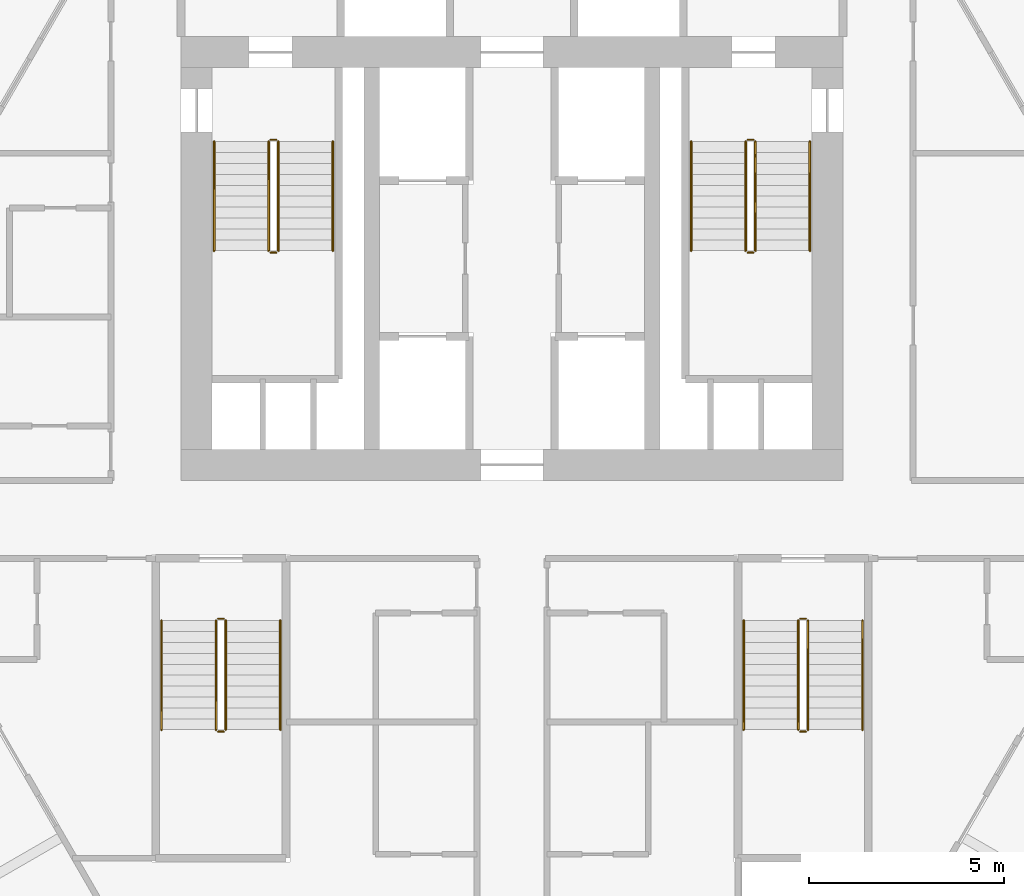
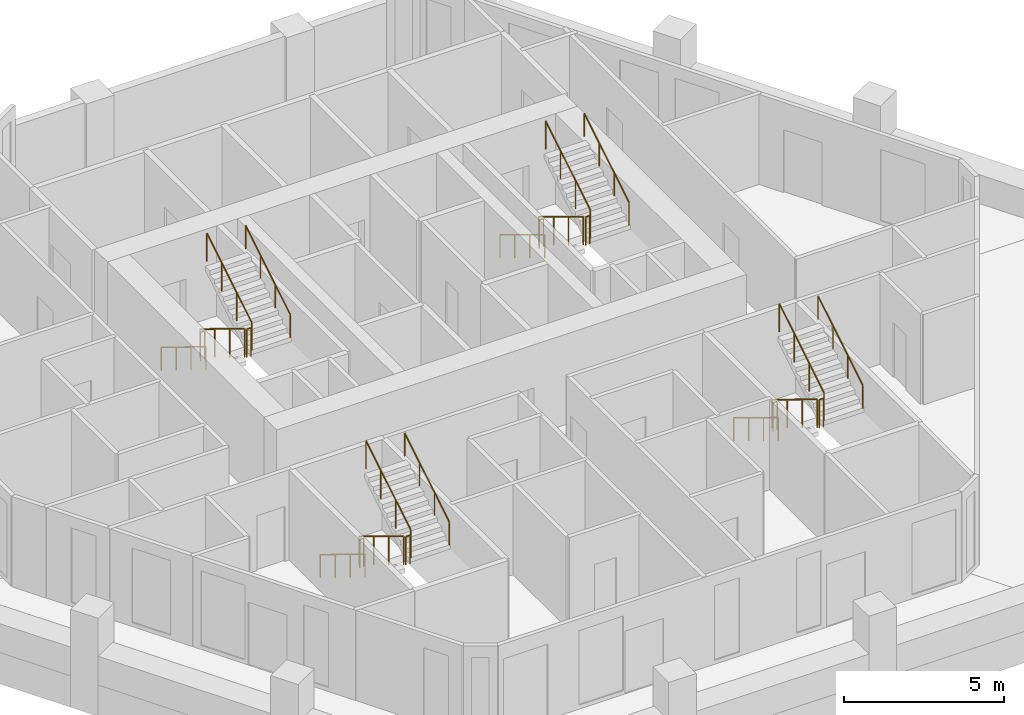
# One storey, part 7 of 7: 24 railings.
"""IFC4 building model written with IfcOpenShell, lengths in metres."""

from ifc_helpers import new_model, si_unit, direction, frame, origin, origin_2d, place, context, subcontext, project, spatial, circle, extrude, material, type_object, element, save


model = new_model("IFC4")

# Units and contexts
model_context = context("Model", 3, precision=1e-05, world=origin(), true_north=direction((0.0, 1.0)))
body_context = subcontext(model_context, "Body", "Model", "MODEL_VIEW")
ifc_project = project(units=[si_unit("LENGTHUNIT", "METRE"), si_unit("AREAUNIT", "SQUARE_METRE"), si_unit("VOLUMEUNIT", "CUBIC_METRE"), si_unit("PLANEANGLEUNIT", "RADIAN"), si_unit("MASSUNIT", "GRAM", prefix="KILO")], contexts=[model_context])

# Site, building, storey
site_placement = place(None, origin())
site = spatial("IfcSite", under=ifc_project, at=site_placement, CompositionType="ELEMENT")
building_placement = place(site_placement, origin())
building = spatial("IfcBuilding", under=site, at=building_placement, Name="Ostrander Bayou Hotel Tower", CompositionType="ELEMENT")
storey_placement = place(building_placement, frame((0.0, 0.0, 160.75)))
storey = spatial("IfcBuildingStorey", under=building, at=storey_placement, Name="L39", CompositionType="ELEMENT", Elevation=160.75)

# Railings
ifc_material_1 = material(Name="Steel ASTM A500 Gr C", Category="steel")
railing_type_1 = type_object("IfcRailingType", Name="GR1 stair guard 1100 mm steel", PredefinedType="GUARDRAIL", material=ifc_material_1)
railing_1_placement = place(storey_placement, frame((-6.25, 7.0, 0.17041015625)))
element("IfcRailing", 1, at=railing_1_placement, inside=storey, type_object=railing_type_1, Name="L39 STA stair guard 1", PredefinedType="GUARDRAIL", context=body_context, shape_type="SweptSolid", body=[
    extrude(circle(Radius=0.02392578125, at=origin_2d()), frame((0.0, 0.0, 1.076171875), z_axis=(0.0, -0.854169791009, 0.51999420009), x_axis=(1.0, 0.0, 0.0)), (0.0, 0.0, 1.0), 3.278076171875),
    extrude(circle(Radius=0.02099609375, at=origin_2d()), origin(), (0.0, 0.0, 1.0), 1.052001953125),
    extrude(circle(Radius=0.02099609375, at=origin_2d()), frame((0.0, -0.933349609375, 0.568115234375)), (0.0, 0.0, 1.0), 1.052001953125),
    extrude(circle(Radius=0.02099609375, at=origin_2d()), frame((0.0, -1.86669921875, 1.136474609375)), (0.0, 0.0, 1.0), 1.052001953125),
    extrude(circle(Radius=0.02099609375, at=origin_2d()), frame((0.0, -2.800048828125, 1.70458984375)), (0.0, 0.0, 1.0), 1.052001953125),
])
railing_2_placement = place(storey_placement, frame((-6.199951171875, 4.14990234375, 1.875)))
element("IfcRailing", 2, at=railing_2_placement, inside=storey, type_object=railing_type_1, Name="L39 STA stair guard 2", PredefinedType="GUARDRAIL", context=body_context, shape_type="SweptSolid", body=[
    extrude(circle(Radius=0.02392578125, at=origin_2d()), frame((0.0, 0.0, 1.076171875), z_axis=(1.0, 0.0, 0.0), x_axis=(0.0, 1.0, 0.0)), (0.0, 0.0, 1.0), 0.14990234375),
    extrude(circle(Radius=0.02099609375, at=origin_2d()), origin(), (0.0, 0.0, 1.0), 1.052001953125),
    extrude(circle(Radius=0.02099609375, at=origin_2d()), frame((0.14990234375, 0.0, 0.0)), (0.0, 0.0, 1.0), 1.052001953125),
])
railing_3_placement = place(storey_placement, frame((-6.0, 4.199951171875, 2.04541015625)))
element("IfcRailing", 3, at=railing_3_placement, inside=storey, type_object=railing_type_1, Name="L39 STA stair guard 3", PredefinedType="GUARDRAIL", context=body_context, shape_type="SweptSolid", body=[
    extrude(circle(Radius=0.02392578125, at=origin_2d()), frame((0.0, 0.0, 1.076171875), z_axis=(0.0, 0.854169791009, 0.51999420009), x_axis=(-1.0, 0.0, 0.0)), (0.0, 0.0, 1.0), 3.278076171875),
    extrude(circle(Radius=0.02099609375, at=origin_2d()), origin(), (0.0, 0.0, 1.0), 1.052001953125),
    extrude(circle(Radius=0.02099609375, at=origin_2d()), frame((0.0, 0.933349609375, 0.568115234375)), (0.0, 0.0, 1.0), 1.052001953125),
    extrude(circle(Radius=0.02099609375, at=origin_2d()), frame((0.0, 1.86669921875, 1.136474609375)), (0.0, 0.0, 1.0), 1.052001953125),
    extrude(circle(Radius=0.02099609375, at=origin_2d()), frame((0.0, 2.800048828125, 1.70458984375)), (0.0, 0.0, 1.0), 1.052001953125),
])
railing_4_placement = place(storey_placement, frame((-6.199951171875, 7.050048828125, 0.0)))
element("IfcRailing", 4, at=railing_4_placement, inside=storey, type_object=railing_type_1, Name="L39 STA stair guard 4", PredefinedType="GUARDRAIL", context=body_context, shape_type="SweptSolid", body=[
    extrude(circle(Radius=0.02392578125, at=origin_2d()), frame((0.0, 0.0, 1.076171875), z_axis=(1.0, 0.0, 0.0), x_axis=(0.0, 1.0, 0.0)), (0.0, 0.0, 1.0), 0.14990234375),
    extrude(circle(Radius=0.02099609375, at=origin_2d()), origin(), (0.0, 0.0, 1.0), 1.052001953125),
    extrude(circle(Radius=0.02099609375, at=origin_2d()), frame((0.14990234375, 0.0, 0.0)), (0.0, 0.0, 1.0), 1.052001953125),
])
railing_5_placement = place(storey_placement, frame((6.0, 7.0, 0.17041015625)))
element("IfcRailing", 5, at=railing_5_placement, inside=storey, type_object=railing_type_1, Name="L39 STB stair guard 1", PredefinedType="GUARDRAIL", context=body_context, shape_type="SweptSolid", body=[
    extrude(circle(Radius=0.02392578125, at=origin_2d()), frame((0.0, 0.0, 1.076171875), z_axis=(0.0, -0.854169791009, 0.51999420009), x_axis=(1.0, 0.0, 0.0)), (0.0, 0.0, 1.0), 3.278076171875),
    extrude(circle(Radius=0.02099609375, at=origin_2d()), origin(), (0.0, 0.0, 1.0), 1.052001953125),
    extrude(circle(Radius=0.02099609375, at=origin_2d()), frame((0.0, -0.933349609375, 0.568115234375)), (0.0, 0.0, 1.0), 1.052001953125),
    extrude(circle(Radius=0.02099609375, at=origin_2d()), frame((0.0, -1.86669921875, 1.136474609375)), (0.0, 0.0, 1.0), 1.052001953125),
    extrude(circle(Radius=0.02099609375, at=origin_2d()), frame((0.0, -2.800048828125, 1.70458984375)), (0.0, 0.0, 1.0), 1.052001953125),
])
railing_6_placement = place(storey_placement, frame((6.050048828125, 4.14990234375, 1.875)))
element("IfcRailing", 6, at=railing_6_placement, inside=storey, type_object=railing_type_1, Name="L39 STB stair guard 2", PredefinedType="GUARDRAIL", context=body_context, shape_type="SweptSolid", body=[
    extrude(circle(Radius=0.02392578125, at=origin_2d()), frame((0.0, 0.0, 1.076171875), z_axis=(1.0, 0.0, 0.0), x_axis=(0.0, 1.0, 0.0)), (0.0, 0.0, 1.0), 0.14990234375),
    extrude(circle(Radius=0.02099609375, at=origin_2d()), origin(), (0.0, 0.0, 1.0), 1.052001953125),
    extrude(circle(Radius=0.02099609375, at=origin_2d()), frame((0.14990234375, 0.0, 0.0)), (0.0, 0.0, 1.0), 1.052001953125),
])
railing_7_placement = place(storey_placement, frame((6.25, 4.199951171875, 2.04541015625)))
element("IfcRailing", 7, at=railing_7_placement, inside=storey, type_object=railing_type_1, Name="L39 STB stair guard 3", PredefinedType="GUARDRAIL", context=body_context, shape_type="SweptSolid", body=[
    extrude(circle(Radius=0.02392578125, at=origin_2d()), frame((0.0, 0.0, 1.076171875), z_axis=(0.0, 0.854169791009, 0.51999420009), x_axis=(-1.0, 0.0, 0.0)), (0.0, 0.0, 1.0), 3.278076171875),
    extrude(circle(Radius=0.02099609375, at=origin_2d()), origin(), (0.0, 0.0, 1.0), 1.052001953125),
    extrude(circle(Radius=0.02099609375, at=origin_2d()), frame((0.0, 0.933349609375, 0.568115234375)), (0.0, 0.0, 1.0), 1.052001953125),
    extrude(circle(Radius=0.02099609375, at=origin_2d()), frame((0.0, 1.86669921875, 1.136474609375)), (0.0, 0.0, 1.0), 1.052001953125),
    extrude(circle(Radius=0.02099609375, at=origin_2d()), frame((0.0, 2.800048828125, 1.70458984375)), (0.0, 0.0, 1.0), 1.052001953125),
])
railing_8_placement = place(storey_placement, frame((6.050048828125, 7.050048828125, 0.0)))
element("IfcRailing", 8, at=railing_8_placement, inside=storey, type_object=railing_type_1, Name="L39 STB stair guard 4", PredefinedType="GUARDRAIL", context=body_context, shape_type="SweptSolid", body=[
    extrude(circle(Radius=0.02392578125, at=origin_2d()), frame((0.0, 0.0, 1.076171875), z_axis=(1.0, 0.0, 0.0), x_axis=(0.0, 1.0, 0.0)), (0.0, 0.0, 1.0), 0.14990234375),
    extrude(circle(Radius=0.02099609375, at=origin_2d()), origin(), (0.0, 0.0, 1.0), 1.052001953125),
    extrude(circle(Radius=0.02099609375, at=origin_2d()), frame((0.14990234375, 0.0, 0.0)), (0.0, 0.0, 1.0), 1.052001953125),
])
railing_9_placement = place(storey_placement, frame((7.35009765625, -5.300048828125, 0.17041015625)))
element("IfcRailing", 9, at=railing_9_placement, inside=storey, type_object=railing_type_1, Name="L39 STC stair guard 1", PredefinedType="GUARDRAIL", context=body_context, shape_type="SweptSolid", body=[
    extrude(circle(Radius=0.02392578125, at=origin_2d()), frame((0.0, 0.0, 1.076171875), z_axis=(0.0, -0.854169791009, 0.51999420009), x_axis=(1.0, 0.0, 0.0)), (0.0, 0.0, 1.0), 3.278076171875),
    extrude(circle(Radius=0.02099609375, at=origin_2d()), origin(), (0.0, 0.0, 1.0), 1.052001953125),
    extrude(circle(Radius=0.02099609375, at=origin_2d()), frame((0.0, -0.933349609375, 0.568115234375)), (0.0, 0.0, 1.0), 1.052001953125),
    extrude(circle(Radius=0.02099609375, at=origin_2d()), frame((0.0, -1.86669921875, 1.136474609375)), (0.0, 0.0, 1.0), 1.052001953125),
    extrude(circle(Radius=0.02099609375, at=origin_2d()), frame((0.0, -2.800048828125, 1.70458984375)), (0.0, 0.0, 1.0), 1.052001953125),
])
railing_10_placement = place(storey_placement, frame((7.39990234375, -8.14990234375, 1.875)))
element("IfcRailing", 10, at=railing_10_placement, inside=storey, type_object=railing_type_1, Name="L39 STC stair guard 2", PredefinedType="GUARDRAIL", context=body_context, shape_type="SweptSolid", body=[
    extrude(circle(Radius=0.02392578125, at=origin_2d()), frame((0.0, 0.0, 1.076171875), z_axis=(1.0, 0.0, 0.0), x_axis=(0.0, 1.0, 0.0)), (0.0, 0.0, 1.0), 0.150146484375),
    extrude(circle(Radius=0.02099609375, at=origin_2d()), origin(), (0.0, 0.0, 1.0), 1.052001953125),
    extrude(circle(Radius=0.02099609375, at=origin_2d()), frame((0.150146484375, 0.0, 0.0)), (0.0, 0.0, 1.0), 1.052001953125),
])
railing_11_placement = place(storey_placement, frame((7.60009765625, -8.10009765625, 2.04541015625)))
element("IfcRailing", 11, at=railing_11_placement, inside=storey, type_object=railing_type_1, Name="L39 STC stair guard 3", PredefinedType="GUARDRAIL", context=body_context, shape_type="SweptSolid", body=[
    extrude(circle(Radius=0.02392578125, at=origin_2d()), frame((0.0, 0.0, 1.076171875), z_axis=(0.0, 0.854169791009, 0.51999420009), x_axis=(-1.0, 0.0, 0.0)), (0.0, 0.0, 1.0), 3.278076171875),
    extrude(circle(Radius=0.02099609375, at=origin_2d()), origin(), (0.0, 0.0, 1.0), 1.052001953125),
    extrude(circle(Radius=0.02099609375, at=origin_2d()), frame((0.0, 0.933349609375, 0.568115234375)), (0.0, 0.0, 1.0), 1.052001953125),
    extrude(circle(Radius=0.02099609375, at=origin_2d()), frame((0.0, 1.86669921875, 1.136474609375)), (0.0, 0.0, 1.0), 1.052001953125),
    extrude(circle(Radius=0.02099609375, at=origin_2d()), frame((0.0, 2.800048828125, 1.70458984375)), (0.0, 0.0, 1.0), 1.052001953125),
])
railing_12_placement = place(storey_placement, frame((7.39990234375, -5.25, 0.0)))
element("IfcRailing", 12, at=railing_12_placement, inside=storey, type_object=railing_type_1, Name="L39 STC stair guard 4", PredefinedType="GUARDRAIL", context=body_context, shape_type="SweptSolid", body=[
    extrude(circle(Radius=0.02392578125, at=origin_2d()), frame((0.0, 0.0, 1.076171875), z_axis=(1.0, 0.0, 0.0), x_axis=(0.0, 1.0, 0.0)), (0.0, 0.0, 1.0), 0.150146484375),
    extrude(circle(Radius=0.02099609375, at=origin_2d()), origin(), (0.0, 0.0, 1.0), 1.052001953125),
    extrude(circle(Radius=0.02099609375, at=origin_2d()), frame((0.150146484375, 0.0, 0.0)), (0.0, 0.0, 1.0), 1.052001953125),
])
railing_13_placement = place(storey_placement, frame((-7.60009765625, -5.300048828125, 0.17041015625)))
element("IfcRailing", 13, at=railing_13_placement, inside=storey, type_object=railing_type_1, Name="L39 STD stair guard 1", PredefinedType="GUARDRAIL", context=body_context, shape_type="SweptSolid", body=[
    extrude(circle(Radius=0.02392578125, at=origin_2d()), frame((0.0, 0.0, 1.076171875), z_axis=(0.0, -0.854169791009, 0.51999420009), x_axis=(1.0, 0.0, 0.0)), (0.0, 0.0, 1.0), 3.278076171875),
    extrude(circle(Radius=0.02099609375, at=origin_2d()), origin(), (0.0, 0.0, 1.0), 1.052001953125),
    extrude(circle(Radius=0.02099609375, at=origin_2d()), frame((0.0, -0.933349609375, 0.568115234375)), (0.0, 0.0, 1.0), 1.052001953125),
    extrude(circle(Radius=0.02099609375, at=origin_2d()), frame((0.0, -1.86669921875, 1.136474609375)), (0.0, 0.0, 1.0), 1.052001953125),
    extrude(circle(Radius=0.02099609375, at=origin_2d()), frame((0.0, -2.800048828125, 1.70458984375)), (0.0, 0.0, 1.0), 1.052001953125),
])
railing_14_placement = place(storey_placement, frame((-7.550048828125, -8.14990234375, 1.875)))
element("IfcRailing", 14, at=railing_14_placement, inside=storey, type_object=railing_type_1, Name="L39 STD stair guard 2", PredefinedType="GUARDRAIL", context=body_context, shape_type="SweptSolid", body=[
    extrude(circle(Radius=0.02392578125, at=origin_2d()), frame((0.0, 0.0, 1.076171875), z_axis=(1.0, 0.0, 0.0), x_axis=(0.0, 1.0, 0.0)), (0.0, 0.0, 1.0), 0.150146484375),
    extrude(circle(Radius=0.02099609375, at=origin_2d()), origin(), (0.0, 0.0, 1.0), 1.052001953125),
    extrude(circle(Radius=0.02099609375, at=origin_2d()), frame((0.150146484375, 0.0, 0.0)), (0.0, 0.0, 1.0), 1.052001953125),
])
railing_15_placement = place(storey_placement, frame((-7.35009765625, -8.10009765625, 2.04541015625)))
element("IfcRailing", 15, at=railing_15_placement, inside=storey, type_object=railing_type_1, Name="L39 STD stair guard 3", PredefinedType="GUARDRAIL", context=body_context, shape_type="SweptSolid", body=[
    extrude(circle(Radius=0.02392578125, at=origin_2d()), frame((0.0, 0.0, 1.076171875), z_axis=(0.0, 0.854169791009, 0.51999420009), x_axis=(-1.0, 0.0, 0.0)), (0.0, 0.0, 1.0), 3.278076171875),
    extrude(circle(Radius=0.02099609375, at=origin_2d()), origin(), (0.0, 0.0, 1.0), 1.052001953125),
    extrude(circle(Radius=0.02099609375, at=origin_2d()), frame((0.0, 0.933349609375, 0.568115234375)), (0.0, 0.0, 1.0), 1.052001953125),
    extrude(circle(Radius=0.02099609375, at=origin_2d()), frame((0.0, 1.86669921875, 1.136474609375)), (0.0, 0.0, 1.0), 1.052001953125),
    extrude(circle(Radius=0.02099609375, at=origin_2d()), frame((0.0, 2.800048828125, 1.70458984375)), (0.0, 0.0, 1.0), 1.052001953125),
])
railing_16_placement = place(storey_placement, frame((-7.550048828125, -5.25, 0.0)))
element("IfcRailing", 16, at=railing_16_placement, inside=storey, type_object=railing_type_1, Name="L39 STD stair guard 4", PredefinedType="GUARDRAIL", context=body_context, shape_type="SweptSolid", body=[
    extrude(circle(Radius=0.02392578125, at=origin_2d()), frame((0.0, 0.0, 1.076171875), z_axis=(1.0, 0.0, 0.0), x_axis=(0.0, 1.0, 0.0)), (0.0, 0.0, 1.0), 0.150146484375),
    extrude(circle(Radius=0.02099609375, at=origin_2d()), origin(), (0.0, 0.0, 1.0), 1.052001953125),
    extrude(circle(Radius=0.02099609375, at=origin_2d()), frame((0.150146484375, 0.0, 0.0)), (0.0, 0.0, 1.0), 1.052001953125),
])
ifc_material_2 = material(Name="Steel ASTM A500 Gr C", Category="steel")
railing_type_2 = type_object("IfcRailingType", Name="HR1 stair handrail 900 mm steel", PredefinedType="HANDRAIL", material=ifc_material_2)
railing_17_placement = place(storey_placement, frame((-7.64990234375, 7.0, 0.17041015625)))
element("IfcRailing", 17, at=railing_17_placement, inside=storey, type_object=railing_type_2, Name="L39 STA stair handrail 1", PredefinedType="HANDRAIL", context=body_context, shape_type="SweptSolid", body=[
    extrude(circle(Radius=0.02392578125, at=origin_2d()), frame((0.0, 0.0, 0.8759765625), z_axis=(0.0, -0.854169791009, 0.51999420009), x_axis=(1.0, 0.0, 0.0)), (0.0, 0.0, 1.0), 3.278076171875),
    extrude(circle(Radius=0.02099609375, at=origin_2d()), origin(), (0.0, 0.0, 1.0), 0.851806640625),
    extrude(circle(Radius=0.02099609375, at=origin_2d()), frame((0.0, -0.933349609375, 0.568115234375)), (0.0, 0.0, 1.0), 0.851806640625),
    extrude(circle(Radius=0.02099609375, at=origin_2d()), frame((0.0, -1.86669921875, 1.136474609375)), (0.0, 0.0, 1.0), 0.851806640625),
    extrude(circle(Radius=0.02099609375, at=origin_2d()), frame((0.0, -2.800048828125, 1.70458984375)), (0.0, 0.0, 1.0), 0.851806640625),
])
railing_18_placement = place(storey_placement, frame((-4.60009765625, 4.199951171875, 2.04541015625)))
element("IfcRailing", 18, at=railing_18_placement, inside=storey, type_object=railing_type_2, Name="L39 STA stair handrail 2", PredefinedType="HANDRAIL", context=body_context, shape_type="SweptSolid", body=[
    extrude(circle(Radius=0.02392578125, at=origin_2d()), frame((0.0, 0.0, 0.8759765625), z_axis=(0.0, 0.854169791009, 0.51999420009), x_axis=(-1.0, 0.0, 0.0)), (0.0, 0.0, 1.0), 3.278076171875),
    extrude(circle(Radius=0.02099609375, at=origin_2d()), origin(), (0.0, 0.0, 1.0), 0.851806640625),
    extrude(circle(Radius=0.02099609375, at=origin_2d()), frame((0.0, 0.933349609375, 0.568115234375)), (0.0, 0.0, 1.0), 0.851806640625),
    extrude(circle(Radius=0.02099609375, at=origin_2d()), frame((0.0, 1.86669921875, 1.136474609375)), (0.0, 0.0, 1.0), 0.851806640625),
    extrude(circle(Radius=0.02099609375, at=origin_2d()), frame((0.0, 2.800048828125, 1.70458984375)), (0.0, 0.0, 1.0), 0.851806640625),
])
railing_19_placement = place(storey_placement, frame((4.60009765625, 7.0, 0.17041015625)))
element("IfcRailing", 19, at=railing_19_placement, inside=storey, type_object=railing_type_2, Name="L39 STB stair handrail 1", PredefinedType="HANDRAIL", context=body_context, shape_type="SweptSolid", body=[
    extrude(circle(Radius=0.02392578125, at=origin_2d()), frame((0.0, 0.0, 0.8759765625), z_axis=(0.0, -0.854169791009, 0.51999420009), x_axis=(1.0, 0.0, 0.0)), (0.0, 0.0, 1.0), 3.278076171875),
    extrude(circle(Radius=0.02099609375, at=origin_2d()), origin(), (0.0, 0.0, 1.0), 0.851806640625),
    extrude(circle(Radius=0.02099609375, at=origin_2d()), frame((0.0, -0.933349609375, 0.568115234375)), (0.0, 0.0, 1.0), 0.851806640625),
    extrude(circle(Radius=0.02099609375, at=origin_2d()), frame((0.0, -1.86669921875, 1.136474609375)), (0.0, 0.0, 1.0), 0.851806640625),
    extrude(circle(Radius=0.02099609375, at=origin_2d()), frame((0.0, -2.800048828125, 1.70458984375)), (0.0, 0.0, 1.0), 0.851806640625),
])
railing_20_placement = place(storey_placement, frame((7.64990234375, 4.199951171875, 2.04541015625)))
element("IfcRailing", 20, at=railing_20_placement, inside=storey, type_object=railing_type_2, Name="L39 STB stair handrail 2", PredefinedType="HANDRAIL", context=body_context, shape_type="SweptSolid", body=[
    extrude(circle(Radius=0.02392578125, at=origin_2d()), frame((0.0, 0.0, 0.8759765625), z_axis=(0.0, 0.854169791009, 0.51999420009), x_axis=(-1.0, 0.0, 0.0)), (0.0, 0.0, 1.0), 3.278076171875),
    extrude(circle(Radius=0.02099609375, at=origin_2d()), origin(), (0.0, 0.0, 1.0), 0.851806640625),
    extrude(circle(Radius=0.02099609375, at=origin_2d()), frame((0.0, 0.933349609375, 0.568115234375)), (0.0, 0.0, 1.0), 0.851806640625),
    extrude(circle(Radius=0.02099609375, at=origin_2d()), frame((0.0, 1.86669921875, 1.136474609375)), (0.0, 0.0, 1.0), 0.851806640625),
    extrude(circle(Radius=0.02099609375, at=origin_2d()), frame((0.0, 2.800048828125, 1.70458984375)), (0.0, 0.0, 1.0), 0.851806640625),
])
railing_21_placement = place(storey_placement, frame((5.949951171875, -5.300048828125, 0.17041015625)))
element("IfcRailing", 21, at=railing_21_placement, inside=storey, type_object=railing_type_2, Name="L39 STC stair handrail 1", PredefinedType="HANDRAIL", context=body_context, shape_type="SweptSolid", body=[
    extrude(circle(Radius=0.02392578125, at=origin_2d()), frame((0.0, 0.0, 0.8759765625), z_axis=(0.0, -0.854169791009, 0.51999420009), x_axis=(1.0, 0.0, 0.0)), (0.0, 0.0, 1.0), 3.278076171875),
    extrude(circle(Radius=0.02099609375, at=origin_2d()), origin(), (0.0, 0.0, 1.0), 0.851806640625),
    extrude(circle(Radius=0.02099609375, at=origin_2d()), frame((0.0, -0.933349609375, 0.568115234375)), (0.0, 0.0, 1.0), 0.851806640625),
    extrude(circle(Radius=0.02099609375, at=origin_2d()), frame((0.0, -1.86669921875, 1.136474609375)), (0.0, 0.0, 1.0), 0.851806640625),
    extrude(circle(Radius=0.02099609375, at=origin_2d()), frame((0.0, -2.800048828125, 1.70458984375)), (0.0, 0.0, 1.0), 0.851806640625),
])
railing_22_placement = place(storey_placement, frame((9.0, -8.10009765625, 2.04541015625)))
element("IfcRailing", 22, at=railing_22_placement, inside=storey, type_object=railing_type_2, Name="L39 STC stair handrail 2", PredefinedType="HANDRAIL", context=body_context, shape_type="SweptSolid", body=[
    extrude(circle(Radius=0.02392578125, at=origin_2d()), frame((0.0, 0.0, 0.8759765625), z_axis=(0.0, 0.854169791009, 0.51999420009), x_axis=(-1.0, 0.0, 0.0)), (0.0, 0.0, 1.0), 3.278076171875),
    extrude(circle(Radius=0.02099609375, at=origin_2d()), origin(), (0.0, 0.0, 1.0), 0.851806640625),
    extrude(circle(Radius=0.02099609375, at=origin_2d()), frame((0.0, 0.933349609375, 0.568115234375)), (0.0, 0.0, 1.0), 0.851806640625),
    extrude(circle(Radius=0.02099609375, at=origin_2d()), frame((0.0, 1.86669921875, 1.136474609375)), (0.0, 0.0, 1.0), 0.851806640625),
    extrude(circle(Radius=0.02099609375, at=origin_2d()), frame((0.0, 2.800048828125, 1.70458984375)), (0.0, 0.0, 1.0), 0.851806640625),
])
railing_23_placement = place(storey_placement, frame((-9.0, -5.300048828125, 0.17041015625)))
element("IfcRailing", 23, at=railing_23_placement, inside=storey, type_object=railing_type_2, Name="L39 STD stair handrail 1", PredefinedType="HANDRAIL", context=body_context, shape_type="SweptSolid", body=[
    extrude(circle(Radius=0.02392578125, at=origin_2d()), frame((0.0, 0.0, 0.8759765625), z_axis=(0.0, -0.854169791009, 0.51999420009), x_axis=(1.0, 0.0, 0.0)), (0.0, 0.0, 1.0), 3.278076171875),
    extrude(circle(Radius=0.02099609375, at=origin_2d()), origin(), (0.0, 0.0, 1.0), 0.851806640625),
    extrude(circle(Radius=0.02099609375, at=origin_2d()), frame((0.0, -0.933349609375, 0.568115234375)), (0.0, 0.0, 1.0), 0.851806640625),
    extrude(circle(Radius=0.02099609375, at=origin_2d()), frame((0.0, -1.86669921875, 1.136474609375)), (0.0, 0.0, 1.0), 0.851806640625),
    extrude(circle(Radius=0.02099609375, at=origin_2d()), frame((0.0, -2.800048828125, 1.70458984375)), (0.0, 0.0, 1.0), 0.851806640625),
])
railing_24_placement = place(storey_placement, frame((-5.949951171875, -8.10009765625, 2.04541015625)))
element("IfcRailing", 24, at=railing_24_placement, inside=storey, type_object=railing_type_2, Name="L39 STD stair handrail 2", PredefinedType="HANDRAIL", context=body_context, shape_type="SweptSolid", body=[
    extrude(circle(Radius=0.02392578125, at=origin_2d()), frame((0.0, 0.0, 0.8759765625), z_axis=(0.0, 0.854169791009, 0.51999420009), x_axis=(-1.0, 0.0, 0.0)), (0.0, 0.0, 1.0), 3.278076171875),
    extrude(circle(Radius=0.02099609375, at=origin_2d()), origin(), (0.0, 0.0, 1.0), 0.851806640625),
    extrude(circle(Radius=0.02099609375, at=origin_2d()), frame((0.0, 0.933349609375, 0.568115234375)), (0.0, 0.0, 1.0), 0.851806640625),
    extrude(circle(Radius=0.02099609375, at=origin_2d()), frame((0.0, 1.86669921875, 1.136474609375)), (0.0, 0.0, 1.0), 0.851806640625),
    extrude(circle(Radius=0.02099609375, at=origin_2d()), frame((0.0, 2.800048828125, 1.70458984375)), (0.0, 0.0, 1.0), 0.851806640625),
])

save(model, "model.ifc")
